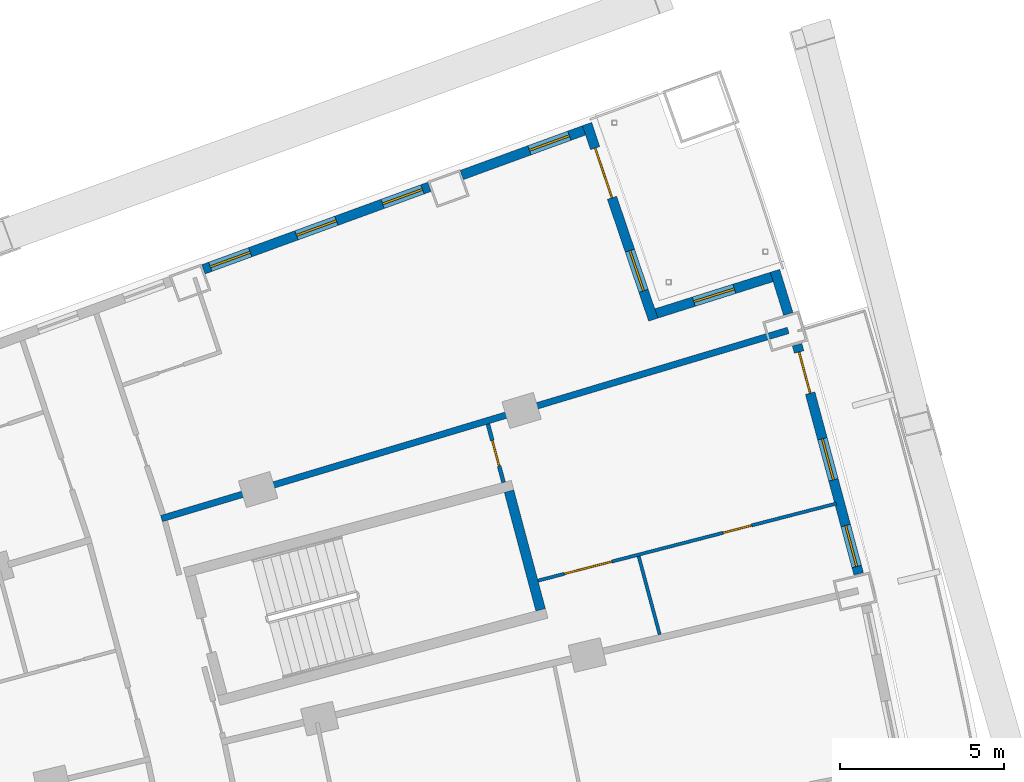
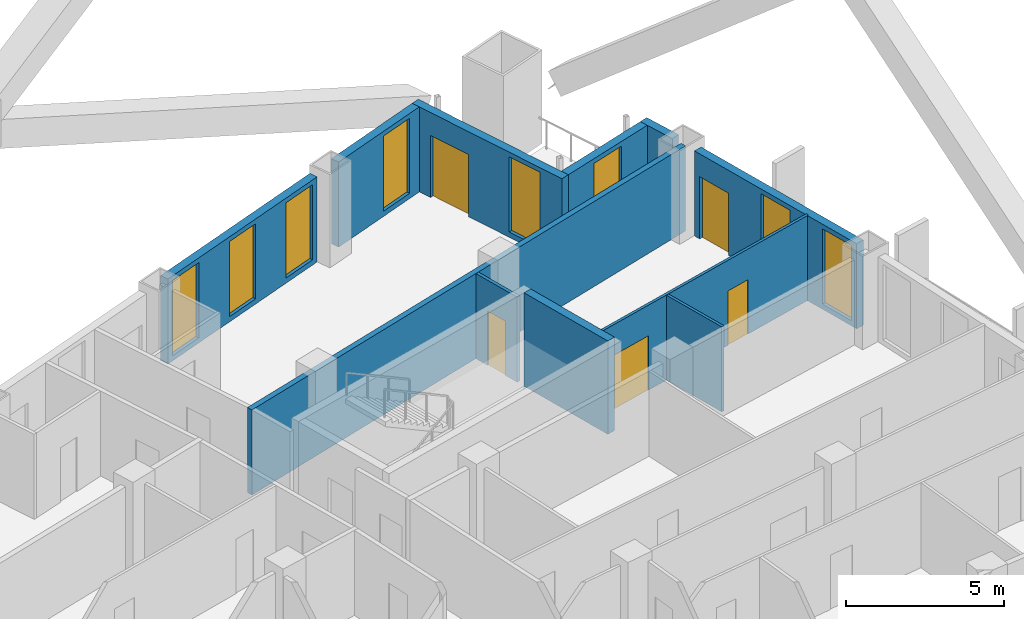
# One storey, part 19 of 24: 11 walls, 8 windows, 5 doors, 13 openings.
"""IFC4 building model written with IfcOpenShell, lengths in metres."""

from ifc_helpers import new_model, si_unit, direction, frame, frame_2d, origin, place, context, subcontext, project, spatial, rectangle, extrude, material, layer, layer_set, type_object, element, fill, save


model = new_model("IFC4")

# Units and contexts
model_context = context("Model", 3, precision=1e-05, world=origin(), true_north=direction((0.0, 1.0)))
body_context = subcontext(model_context, "Body", "Model", "MODEL_VIEW")
ifc_project = project(units=[si_unit("LENGTHUNIT", "METRE"), si_unit("AREAUNIT", "SQUARE_METRE"), si_unit("VOLUMEUNIT", "CUBIC_METRE"), si_unit("PLANEANGLEUNIT", "RADIAN"), si_unit("MASSUNIT", "GRAM", prefix="KILO")], contexts=[model_context])

# Site, building, storey
site_placement = place(None, origin())
site = spatial("IfcSite", under=ifc_project, at=site_placement, CompositionType="ELEMENT")
building_placement = place(site_placement, origin())
building = spatial("IfcBuilding", under=site, at=building_placement, Name="Alderwake Tower", CompositionType="ELEMENT")
storey_placement = place(building_placement, frame((0.0, 0.0, 104.0)))
storey = spatial("IfcBuildingStorey", under=building, at=storey_placement, Name="L25", CompositionType="ELEMENT", Elevation=104.0)

# Wall
ifc_material_1 = material(Name="Concrete C70/85", Category="concrete")
ifc_layer_1 = layer(ifc_material_1, 0.300048828125)
ifc_layer_set_1 = layer_set([ifc_layer_1], Name="Core wall stair enclosure 300 C70-85")
wall_type_1 = type_object("IfcWallType", Name="Core wall stair enclosure 300 C70-85", PredefinedType="SHEAR", material=ifc_layer_set_1)
wall_1_placement = place(storey_placement, frame((47.581298828125, 93.041748046875, 0.0), z_axis=(0.0, 0.0, 1.0), x_axis=(-0.257366821694, 0.966313778796, 0.0)))
element("IfcWall", 1, at=wall_1_placement, inside=storey, type_object=wall_type_1, Name="Core wall CW.081", PredefinedType="SHEAR", context=body_context, shape_type="SweptSolid", body=[
    extrude(rectangle(XDim=3.749755859375, YDim=0.300048828125, at=frame_2d((1.875, 0.0))), origin(), (0.0, 0.0, 1.0), 3.60009765625),
])

# Wall, openings, door, windows
ifc_material_2 = material(Name="Precast concrete C50/60 spandrel panel", Category="concrete")
ifc_layer_2 = layer(ifc_material_2, 0.300048828125)
ifc_layer_set_2 = layer_set([ifc_layer_2], Name="External wall EW1 Precast concrete C50/60 spandrel")
wall_type_2 = type_object("IfcWallType", Name="External wall EW1 Precast concrete C50/60 spandrel", PredefinedType="SOLIDWALL", material=ifc_layer_set_2)
wall_2_placement = place(storey_placement, frame((57.292724609375, 94.141845703125, 0.0), z_axis=(0.0, 0.0, 1.0), x_axis=(-0.259492183522, 0.965745207957, 0.0)))
wall_2 = element("IfcWall", 2, at=wall_2_placement, inside=storey, type_object=wall_type_2, Name="External wall 21", PredefinedType="SOLIDWALL", context=body_context, shape_type="SweptSolid", body=[
    extrude(rectangle(XDim=7.24072265625, YDim=0.300048828125, at=frame_2d((3.620361328125, 0.0))), origin(), (0.0, 0.0, 1.0), 3.280029296875),
])
opening_1_placement = place(wall_2_placement, frame((0.22900390625, 0.0, 0.199951171875)))
opening_1 = element("IfcOpeningElement", 3, at=opening_1_placement, cuts=wall_2, Name="Opening W1", PredefinedType="OPENING", context=body_context, shape_type="SweptSolid", body=[
    extrude(rectangle(XDim=1.300048828125, YDim=2.89990234375, at=frame_2d((0.64990234375, 1.449951171875))), frame((0.0, 0.159912109375, 0.0), z_axis=(0.0, -1.0, 0.0), x_axis=(1.0, 0.0, 0.0)), (0.0, 0.0, 1.0), 0.320068359375),
])
opening_2_placement = place(wall_2_placement, frame((2.97021484375, 0.0, 0.199951171875)))
opening_2 = element("IfcOpeningElement", 4, at=opening_2_placement, cuts=wall_2, Name="Opening W1", PredefinedType="OPENING", context=body_context, shape_type="SweptSolid", body=[
    extrude(rectangle(XDim=1.300048828125, YDim=2.89990234375, at=frame_2d((0.64990234375, 1.449951171875))), frame((0.0, 0.159912109375, 0.0), z_axis=(0.0, -1.0, 0.0), x_axis=(1.0, 0.0, 0.0)), (0.0, 0.0, 1.0), 0.320068359375),
])
opening_3_placement = place(wall_2_placement, frame((5.711669921875, 0.0, 0.0)))
opening_3 = element("IfcOpeningElement", 5, at=opening_3_placement, cuts=wall_2, Name="Opening D11", PredefinedType="OPENING", context=body_context, shape_type="SweptSolid", body=[
    extrude(rectangle(XDim=1.300048828125, YDim=2.39990234375, at=frame_2d((0.64990234375, 1.199951171875))), frame((0.0, 0.159912109375, 0.0), z_axis=(0.0, -1.0, 0.0), x_axis=(1.0, 0.0, 0.0)), (0.0, 0.0, 1.0), 0.320068359375),
])
ifc_material_3 = material(Name="Bronze tinted glass in aluminium frame", Category="aluminium")
door_type_1 = type_object("IfcDoorType", Name="Balcony door BD sliding", OperationType="SLIDING_TO_LEFT", PredefinedType="DOOR", material=ifc_material_3)
door_1_placement = place(opening_3_placement, origin())
door_1 = element("IfcDoor", 6, at=door_1_placement, inside=storey, type_object=door_type_1, Name="Door D11", OperationType="SLIDING_TO_LEFT", OverallHeight=2.39990234375, OverallWidth=1.300048828125, PredefinedType="DOOR", context=body_context, shape_type="SweptSolid", body=[
    extrude(rectangle(XDim=1.300048828125, YDim=2.39990234375, at=frame_2d((0.64990234375, 1.199951171875))), frame((0.0, 0.02490234375, 0.0), z_axis=(0.0, -1.0, 0.0), x_axis=(1.0, 0.0, 0.0)), (0.0, 0.0, 1.0), 0.050048828125),
])
fill(opening_3, door_1)
ifc_material_4 = material(Name="Bronze tinted glass in aluminium frame", Category="aluminium")
window_type = type_object("IfcWindowType", Name="Window W1 tall fixed and vent", PartitioningType="DOUBLE_PANEL_VERTICAL", PredefinedType="WINDOW", material=ifc_material_4)
window_1_placement = place(opening_1_placement, origin())
window_1 = element("IfcWindow", 7, at=window_1_placement, inside=storey, type_object=window_type, Name="Window W1 tall fixed and vent", OverallHeight=2.89990234375, OverallWidth=1.300048828125, PartitioningType="DOUBLE_PANEL_VERTICAL", PredefinedType="WINDOW", context=body_context, shape_type="SweptSolid", body=[
    extrude(rectangle(XDim=1.300048828125, YDim=2.89990234375, at=frame_2d((0.64990234375, 1.449951171875))), frame((0.0, 0.030029296875, 0.0), z_axis=(0.0, -1.0, 0.0), x_axis=(1.0, 0.0, 0.0)), (0.0, 0.0, 1.0), 0.06005859375),
])
fill(opening_1, window_1)
window_2_placement = place(opening_2_placement, origin())
window_2 = element("IfcWindow", 8, at=window_2_placement, inside=storey, type_object=window_type, Name="Window W1 tall fixed and vent", OverallHeight=2.89990234375, OverallWidth=1.300048828125, PartitioningType="DOUBLE_PANEL_VERTICAL", PredefinedType="WINDOW", context=body_context, shape_type="SweptSolid", body=[
    extrude(rectangle(XDim=1.300048828125, YDim=2.89990234375, at=frame_2d((0.64990234375, 1.449951171875))), frame((0.0, 0.030029296875, 0.0), z_axis=(0.0, -1.0, 0.0), x_axis=(1.0, 0.0, 0.0)), (0.0, 0.0, 1.0), 0.06005859375),
])
fill(opening_2, window_2)

# Wall
wall_3_placement = place(storey_placement, frame((55.142822265625, 102.075927734375, 0.0), z_axis=(0.0, 0.0, 1.0), x_axis=(-0.294421732996, 0.955675595137, 0.0)))
element("IfcWall", 9, at=wall_3_placement, inside=storey, type_object=wall_type_2, Name="External wall 22", PredefinedType="SOLIDWALL", context=body_context, shape_type="SweptSolid", body=[
    extrude(rectangle(XDim=1.37890625, YDim=0.300048828125, at=frame_2d((0.689453125, 0.0))), origin(), (0.0, 0.0, 1.0), 3.280029296875),
])

# Wall, opening, window
ifc_material_5 = material(Name="Bronze metal cladding on lightweight framing")
ifc_layer_3 = layer(ifc_material_5, 0.300048828125)
ifc_layer_set_3 = layer_set([ifc_layer_3], Name="External wall EW2 bronze metal cladding")
wall_type_3 = type_object("IfcWallType", Name="External wall EW2 bronze metal cladding", PredefinedType="SOLIDWALL", material=ifc_layer_set_3)
wall_4_placement = place(storey_placement, frame((54.6376953125, 103.205078125, 0.0), z_axis=(0.0, 0.0, 1.0), x_axis=(-0.953466730622, -0.301498248083, 0.0)))
wall_4 = element("IfcWall", 10, at=wall_4_placement, inside=storey, type_object=wall_type_3, Name="External wall 23", PredefinedType="SOLIDWALL", context=body_context, shape_type="SweptSolid", body=[
    extrude(rectangle(XDim=3.694091796875, YDim=0.300048828125, at=frame_2d((1.84716796875, 0.0))), origin(), (0.0, 0.0, 1.0), 3.280029296875),
])
opening_4_placement = place(wall_4_placement, frame((1.197021484375, 0.0, 0.199951171875)))
opening_4 = element("IfcOpeningElement", 11, at=opening_4_placement, cuts=wall_4, Name="Opening W1", PredefinedType="OPENING", context=body_context, shape_type="SweptSolid", body=[
    extrude(rectangle(XDim=1.300048828125, YDim=2.89990234375, at=frame_2d((0.64990234375, 1.449951171875))), frame((0.0, 0.159912109375, 0.0), z_axis=(0.0, -1.0, 0.0), x_axis=(1.0, 0.0, 0.0)), (0.0, 0.0, 1.0), 0.320068359375),
])
window_3_placement = place(opening_4_placement, origin())
window_3 = element("IfcWindow", 12, at=window_3_placement, inside=storey, type_object=window_type, Name="Window W1 tall fixed and vent", OverallHeight=2.89990234375, OverallWidth=1.300048828125, PartitioningType="DOUBLE_PANEL_VERTICAL", PredefinedType="WINDOW", context=body_context, shape_type="SweptSolid", body=[
    extrude(rectangle(XDim=1.300048828125, YDim=2.89990234375, at=frame_2d((0.64990234375, 1.449951171875))), frame((0.0, 0.030029296875, 0.0), z_axis=(0.0, -1.0, 0.0), x_axis=(1.0, 0.0, 0.0)), (0.0, 0.0, 1.0), 0.06005859375),
])
fill(opening_4, window_3)

# Wall, openings, door, window
wall_5_placement = place(storey_placement, frame((51.0205078125, 101.904052734375, 0.0), z_axis=(0.0, 0.0, 1.0), x_axis=(-0.320894446664, 0.947114963508, 0.0)))
wall_5 = element("IfcWall", 13, at=wall_5_placement, inside=storey, type_object=wall_type_3, Name="External wall 24", PredefinedType="SOLIDWALL", context=body_context, shape_type="SweptSolid", body=[
    extrude(rectangle(XDim=6.30419921875, YDim=0.300048828125, at=frame_2d((3.152099609375, 0.0))), origin(), (0.0, 0.0, 1.0), 3.280029296875),
])
opening_5_placement = place(wall_5_placement, frame((0.926025390625, 0.0, 0.199951171875)))
opening_5 = element("IfcOpeningElement", 14, at=opening_5_placement, cuts=wall_5, Name="Opening W1", PredefinedType="OPENING", context=body_context, shape_type="SweptSolid", body=[
    extrude(rectangle(XDim=1.300048828125, YDim=2.89990234375, at=frame_2d((0.64990234375, 1.449951171875))), frame((0.0, 0.159912109375, 0.0), z_axis=(0.0, -1.0, 0.0), x_axis=(1.0, 0.0, 0.0)), (0.0, 0.0, 1.0), 0.320068359375),
])
opening_6_placement = place(wall_5_placement, frame((3.92822265625, 0.0, 0.0)))
opening_6 = element("IfcOpeningElement", 15, at=opening_6_placement, cuts=wall_5, Name="Opening D12", PredefinedType="OPENING", context=body_context, shape_type="SweptSolid", body=[
    extrude(rectangle(XDim=1.60009765625, YDim=2.39990234375, at=frame_2d((0.800048828125, 1.199951171875))), frame((0.0, 0.159912109375, 0.0), z_axis=(0.0, -1.0, 0.0), x_axis=(1.0, 0.0, 0.0)), (0.0, 0.0, 1.0), 0.320068359375),
])
ifc_material_6 = material(Name="Bronze tinted glass in aluminium frame", Category="aluminium")
door_type_2 = type_object("IfcDoorType", Name="Terrace door TD sliding", OperationType="SLIDING_TO_LEFT", PredefinedType="DOOR", material=ifc_material_6)
door_2_placement = place(opening_6_placement, origin())
door_2 = element("IfcDoor", 16, at=door_2_placement, inside=storey, type_object=door_type_2, Name="Door D12", OperationType="SLIDING_TO_LEFT", OverallHeight=2.39990234375, OverallWidth=1.60009765625, PredefinedType="DOOR", context=body_context, shape_type="SweptSolid", body=[
    extrude(rectangle(XDim=1.60009765625, YDim=2.39990234375, at=frame_2d((0.800048828125, 1.199951171875))), frame((0.0, 0.02490234375, 0.0), z_axis=(0.0, -1.0, 0.0), x_axis=(1.0, 0.0, 0.0)), (0.0, 0.0, 1.0), 0.050048828125),
])
fill(opening_6, door_2)
window_4_placement = place(opening_5_placement, origin())
window_4 = element("IfcWindow", 17, at=window_4_placement, inside=storey, type_object=window_type, Name="Window W1 tall fixed and vent", OverallHeight=2.89990234375, OverallWidth=1.300048828125, PartitioningType="DOUBLE_PANEL_VERTICAL", PredefinedType="WINDOW", context=body_context, shape_type="SweptSolid", body=[
    extrude(rectangle(XDim=1.300048828125, YDim=2.89990234375, at=frame_2d((0.64990234375, 1.449951171875))), frame((0.0, 0.030029296875, 0.0), z_axis=(0.0, -1.0, 0.0), x_axis=(1.0, 0.0, 0.0)), (0.0, 0.0, 1.0), 0.06005859375),
])
fill(opening_5, window_4)

# Wall, opening, window
wall_6_placement = place(storey_placement, frame((48.90478515625, 107.681396484375, 0.0), z_axis=(0.0, 0.0, 1.0), x_axis=(-0.939358262934, -0.342937390578, 0.0)))
wall_6 = element("IfcWall", 18, at=wall_6_placement, inside=storey, type_object=wall_type_3, Name="External wall 25", PredefinedType="SOLIDWALL", context=body_context, shape_type="SweptSolid", body=[
    extrude(rectangle(XDim=3.970947265625, YDim=0.300048828125, at=frame_2d((1.9853515625, 0.0))), origin(), (0.0, 0.0, 1.0), 3.280029296875),
])
opening_7_placement = place(wall_6_placement, frame((0.474609375, 0.0, 0.199951171875)))
opening_7 = element("IfcOpeningElement", 19, at=opening_7_placement, cuts=wall_6, Name="Opening W1", PredefinedType="OPENING", context=body_context, shape_type="SweptSolid", body=[
    extrude(rectangle(XDim=1.300048828125, YDim=2.89990234375, at=frame_2d((0.64990234375, 1.449951171875))), frame((0.0, 0.159912109375, 0.0), z_axis=(0.0, -1.0, 0.0), x_axis=(1.0, 0.0, 0.0)), (0.0, 0.0, 1.0), 0.320068359375),
])
window_5_placement = place(opening_7_placement, origin())
window_5 = element("IfcWindow", 20, at=window_5_placement, inside=storey, type_object=window_type, Name="Window W1 tall fixed and vent", OverallHeight=2.89990234375, OverallWidth=1.300048828125, PartitioningType="DOUBLE_PANEL_VERTICAL", PredefinedType="WINDOW", context=body_context, shape_type="SweptSolid", body=[
    extrude(rectangle(XDim=1.300048828125, YDim=2.89990234375, at=frame_2d((0.64990234375, 1.449951171875))), frame((0.0, 0.030029296875, 0.0), z_axis=(0.0, -1.0, 0.0), x_axis=(1.0, 0.0, 0.0)), (0.0, 0.0, 1.0), 0.06005859375),
])
fill(opening_7, window_5)

# Wall, openings, windows
wall_7_placement = place(storey_placement, frame((44.1845703125, 105.958251953125, 0.0), z_axis=(0.0, 0.0, 1.0), x_axis=(-0.939378390818, -0.342882252187, 0.0)))
wall_7 = element("IfcWall", 21, at=wall_7_placement, inside=storey, type_object=wall_type_3, Name="External wall 26", PredefinedType="SOLIDWALL", context=body_context, shape_type="SweptSolid", body=[
    extrude(rectangle(XDim=7.345947265625, YDim=0.300048828125, at=frame_2d((3.6728515625, 0.0))), origin(), (0.0, 0.0, 1.0), 3.280029296875),
])
opening_8_placement = place(wall_7_placement, frame((0.22314453125, 0.0, 0.199951171875)))
opening_8 = element("IfcOpeningElement", 22, at=opening_8_placement, cuts=wall_7, Name="Opening W1", PredefinedType="OPENING", context=body_context, shape_type="SweptSolid", body=[
    extrude(rectangle(XDim=1.300048828125, YDim=2.89990234375, at=frame_2d((0.64990234375, 1.449951171875))), frame((0.0, 0.159912109375, 0.0), z_axis=(0.0, -1.0, 0.0), x_axis=(1.0, 0.0, 0.0)), (0.0, 0.0, 1.0), 0.320068359375),
])
opening_9_placement = place(wall_7_placement, frame((3.023193359375, 0.0, 0.199951171875)))
opening_9 = element("IfcOpeningElement", 23, at=opening_9_placement, cuts=wall_7, Name="Opening W1", PredefinedType="OPENING", context=body_context, shape_type="SweptSolid", body=[
    extrude(rectangle(XDim=1.300048828125, YDim=2.89990234375, at=frame_2d((0.64990234375, 1.449951171875))), frame((0.0, 0.159912109375, 0.0), z_axis=(0.0, -1.0, 0.0), x_axis=(1.0, 0.0, 0.0)), (0.0, 0.0, 1.0), 0.320068359375),
])
opening_10_placement = place(wall_7_placement, frame((5.8232421875, 0.0, 0.199951171875)))
opening_10 = element("IfcOpeningElement", 24, at=opening_10_placement, cuts=wall_7, Name="Opening W1", PredefinedType="OPENING", context=body_context, shape_type="SweptSolid", body=[
    extrude(rectangle(XDim=1.300048828125, YDim=2.89990234375, at=frame_2d((0.64990234375, 1.449951171875))), frame((0.0, 0.159912109375, 0.0), z_axis=(0.0, -1.0, 0.0), x_axis=(1.0, 0.0, 0.0)), (0.0, 0.0, 1.0), 0.320068359375),
])
window_6_placement = place(opening_8_placement, origin())
window_6 = element("IfcWindow", 25, at=window_6_placement, inside=storey, type_object=window_type, Name="Window W1 tall fixed and vent", OverallHeight=2.89990234375, OverallWidth=1.300048828125, PartitioningType="DOUBLE_PANEL_VERTICAL", PredefinedType="WINDOW", context=body_context, shape_type="SweptSolid", body=[
    extrude(rectangle(XDim=1.300048828125, YDim=2.89990234375, at=frame_2d((0.64990234375, 1.449951171875))), frame((0.0, 0.030029296875, 0.0), z_axis=(0.0, -1.0, 0.0), x_axis=(1.0, 0.0, 0.0)), (0.0, 0.0, 1.0), 0.06005859375),
])
fill(opening_8, window_6)
window_7_placement = place(opening_9_placement, origin())
window_7 = element("IfcWindow", 26, at=window_7_placement, inside=storey, type_object=window_type, Name="Window W1 tall fixed and vent", OverallHeight=2.89990234375, OverallWidth=1.300048828125, PartitioningType="DOUBLE_PANEL_VERTICAL", PredefinedType="WINDOW", context=body_context, shape_type="SweptSolid", body=[
    extrude(rectangle(XDim=1.300048828125, YDim=2.89990234375, at=frame_2d((0.64990234375, 1.449951171875))), frame((0.0, 0.030029296875, 0.0), z_axis=(0.0, -1.0, 0.0), x_axis=(1.0, 0.0, 0.0)), (0.0, 0.0, 1.0), 0.06005859375),
])
fill(opening_9, window_7)
window_8_placement = place(opening_10_placement, origin())
window_8 = element("IfcWindow", 27, at=window_8_placement, inside=storey, type_object=window_type, Name="Window W1 tall fixed and vent", OverallHeight=2.89990234375, OverallWidth=1.300048828125, PartitioningType="DOUBLE_PANEL_VERTICAL", PredefinedType="WINDOW", context=body_context, shape_type="SweptSolid", body=[
    extrude(rectangle(XDim=1.300048828125, YDim=2.89990234375, at=frame_2d((0.64990234375, 1.449951171875))), frame((0.0, 0.030029296875, 0.0), z_axis=(0.0, -1.0, 0.0), x_axis=(1.0, 0.0, 0.0)), (0.0, 0.0, 1.0), 0.06005859375),
])
fill(opening_10, window_8)

# Wall
ifc_material_7 = material(Name="Dense block masonry wall", Category="masonry")
ifc_layer_4 = layer(ifc_material_7, 0.199951171875)
ifc_layer_set_4 = layer_set([ifc_layer_4], Name="Party wall 200")
wall_type_4 = type_object("IfcWallType", Name="Party wall 200", PredefinedType="SOLIDWALL", material=ifc_layer_set_4)
wall_8_placement = place(storey_placement, frame((55.139892578125, 101.573974609375, 0.0), z_axis=(0.0, 0.0, 1.0), x_axis=(-0.957737789931, -0.287642704997, 0.0)))
element("IfcWall", 28, at=wall_8_placement, inside=storey, type_object=wall_type_4, Name="WL/L25/W10", PredefinedType="SOLIDWALL", context=body_context, shape_type="SweptSolid", body=[
    extrude(rectangle(XDim=19.97998046875, YDim=0.199951171875, at=frame_2d((9.989990234375, 0.0))), origin(), (0.0, 0.0, 1.0), 3.280029296875),
])

# Wall, openings, doors
ifc_material_8 = material(Name="Gypsum board on metal studs")
ifc_layer_5 = layer(ifc_material_8, 0.10009765625)
ifc_layer_set_5 = layer_set([ifc_layer_5], Name="Unit partition 100")
wall_type_5 = type_object("IfcWallType", Name="Unit partition 100", PredefinedType="PARTITIONING", material=ifc_layer_set_5)
wall_9_placement = place(storey_placement, frame((47.4990234375, 93.93310546875, 0.0), z_axis=(0.0, 0.0, 1.0), x_axis=(0.968200762056, 0.250174507803, 0.0)))
wall_9 = element("IfcWall", 29, at=wall_9_placement, inside=storey, type_object=wall_type_5, Name="WL/L25/W81", PredefinedType="PARTITIONING", context=body_context, shape_type="SweptSolid", body=[
    extrude(rectangle(XDim=9.413330078125, YDim=0.10009765625, at=frame_2d((4.70654296875, 0.0))), origin(), (0.0, 0.0, 1.0), 3.280029296875),
])
opening_11_placement = place(wall_9_placement, frame((0.831787109375, 0.0, 0.0)))
opening_11 = element("IfcOpeningElement", 30, at=opening_11_placement, cuts=wall_9, Name="Opening R07-U02.2", PredefinedType="OPENING", context=body_context, shape_type="SweptSolid", body=[
    extrude(rectangle(XDim=1.5, YDim=2.10009765625, at=frame_2d((0.75, 1.050048828125))), frame((0.0, 0.06005859375, 0.0), z_axis=(0.0, -1.0, 0.0), x_axis=(1.0, 0.0, 0.0)), (0.0, 0.0, 1.0), 0.1201171875),
])
opening_12_placement = place(wall_9_placement, frame((5.838134765625, 0.0, 0.0)))
opening_12 = element("IfcOpeningElement", 31, at=opening_12_placement, cuts=wall_9, Name="Opening R07-U02.3", PredefinedType="OPENING", context=body_context, shape_type="SweptSolid", body=[
    extrude(rectangle(XDim=0.89990234375, YDim=2.10009765625, at=frame_2d((0.449951171875, 1.050048828125))), frame((0.0, 0.06005859375, 0.0), z_axis=(0.0, -1.0, 0.0), x_axis=(1.0, 0.0, 0.0)), (0.0, 0.0, 1.0), 0.1201171875),
])
ifc_material_9 = material(Name="Painted timber leaves", Category="wood")
door_type_3 = type_object("IfcDoorType", Name="Double leaf door 1500", OperationType="DOUBLE_DOOR_SINGLE_SWING", PredefinedType="DOOR", material=ifc_material_9)
door_3_placement = place(opening_11_placement, origin())
door_3 = element("IfcDoor", 32, at=door_3_placement, inside=storey, type_object=door_type_3, Name="DR/L25/U02.2", OperationType="DOUBLE_DOOR_SINGLE_SWING", OverallHeight=2.10009765625, OverallWidth=1.5, PredefinedType="DOOR", context=body_context, shape_type="SweptSolid", body=[
    extrude(rectangle(XDim=1.5, YDim=2.10009765625, at=frame_2d((0.75, 1.050048828125))), frame((0.0, 0.02490234375, 0.0), z_axis=(0.0, -1.0, 0.0), x_axis=(1.0, 0.0, 0.0)), (0.0, 0.0, 1.0), 0.050048828125),
])
fill(opening_11, door_3)
ifc_material_10 = material(Name="Painted timber leaf", Category="wood")
door_type_4 = type_object("IfcDoorType", Name="Room door 900", OperationType="SINGLE_SWING_LEFT", PredefinedType="DOOR", material=ifc_material_10)
door_4_placement = place(opening_12_placement, origin())
door_4 = element("IfcDoor", 33, at=door_4_placement, inside=storey, type_object=door_type_4, Name="DR/L25/U02.3", OperationType="SINGLE_SWING_LEFT", OverallHeight=2.10009765625, OverallWidth=0.89990234375, PredefinedType="DOOR", context=body_context, shape_type="SweptSolid", body=[
    extrude(rectangle(XDim=0.89990234375, YDim=2.10009765625, at=frame_2d((0.449951171875, 1.050048828125))), frame((0.0, 0.02490234375, 0.0), z_axis=(0.0, -1.0, 0.0), x_axis=(1.0, 0.0, 0.0)), (0.0, 0.0, 1.0), 0.050048828125),
])
fill(opening_12, door_4)

# Wall
wall_10_placement = place(storey_placement, frame((51.217041015625, 92.28662109375, 0.0), z_axis=(0.0, 0.0, 1.0), x_axis=(-0.259442778972, 0.965758481422, 0.0)))
element("IfcWall", 34, at=wall_10_placement, inside=storey, type_object=wall_type_5, Name="WL/L25/W85", PredefinedType="PARTITIONING", context=body_context, shape_type="SweptSolid", body=[
    extrude(rectangle(XDim=2.474853515625, YDim=0.10009765625, at=frame_2d((1.2373046875, 0.0))), origin(), (0.0, 0.0, 1.0), 3.280029296875),
])

# Wall, opening, door
ifc_material_11 = material(Name="Moisture resistant gypsum board on metal studs")
ifc_layer_6 = layer(ifc_material_11, 0.1201171875)
ifc_layer_set_6 = layer_set([ifc_layer_6], Name="Wet room partition 120")
wall_type_6 = type_object("IfcWallType", Name="Wet room partition 120", PredefinedType="PARTITIONING", material=ifc_layer_set_6)
wall_11_placement = place(storey_placement, frame((46.448974609375, 96.929931640625, 0.0), z_axis=(0.0, 0.0, 1.0), x_axis=(-0.258764710752, 0.965940383497, 0.0)))
wall_11 = element("IfcWall", 35, at=wall_11_placement, inside=storey, type_object=wall_type_6, Name="WL/L25/W61", PredefinedType="PARTITIONING", context=body_context, shape_type="SweptSolid", body=[
    extrude(rectangle(XDim=1.847412109375, YDim=0.1201171875, at=frame_2d((0.923828125, 0.0))), origin(), (0.0, 0.0, 1.0), 3.280029296875),
])
opening_13_placement = place(wall_11_placement, frame((0.524169921875, 0.0, 0.0)))
opening_13 = element("IfcOpeningElement", 36, at=opening_13_placement, cuts=wall_11, Name="Opening R07-U02.4", PredefinedType="OPENING", context=body_context, shape_type="SweptSolid", body=[
    extrude(rectangle(XDim=0.800048828125, YDim=2.10009765625, at=frame_2d((0.39990234375, 1.050048828125))), frame((0.0, 0.070068359375, 0.0), z_axis=(0.0, -1.0, 0.0), x_axis=(1.0, 0.0, 0.0)), (0.0, 0.0, 1.0), 0.14013671875),
])
ifc_material_12 = material(Name="Painted timber leaf", Category="wood")
door_type_5 = type_object("IfcDoorType", Name="Bathroom door 800", OperationType="SINGLE_SWING_LEFT", PredefinedType="DOOR", material=ifc_material_12)
door_5_placement = place(opening_13_placement, origin())
door_5 = element("IfcDoor", 37, at=door_5_placement, inside=storey, type_object=door_type_5, Name="DR/L25/U02.4", OperationType="SINGLE_SWING_LEFT", OverallHeight=2.10009765625, OverallWidth=0.800048828125, PredefinedType="DOOR", context=body_context, shape_type="SweptSolid", body=[
    extrude(rectangle(XDim=0.800048828125, YDim=2.10009765625, at=frame_2d((0.39990234375, 1.050048828125))), frame((0.0, 0.02490234375, 0.0), z_axis=(0.0, -1.0, 0.0), x_axis=(1.0, 0.0, 0.0)), (0.0, 0.0, 1.0), 0.050048828125),
])
fill(opening_13, door_5)

save(model, "model.ifc")
